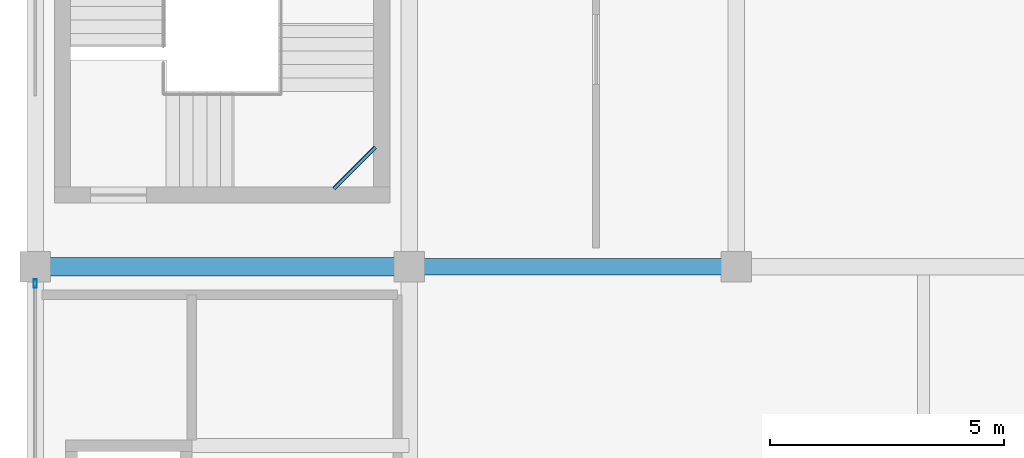
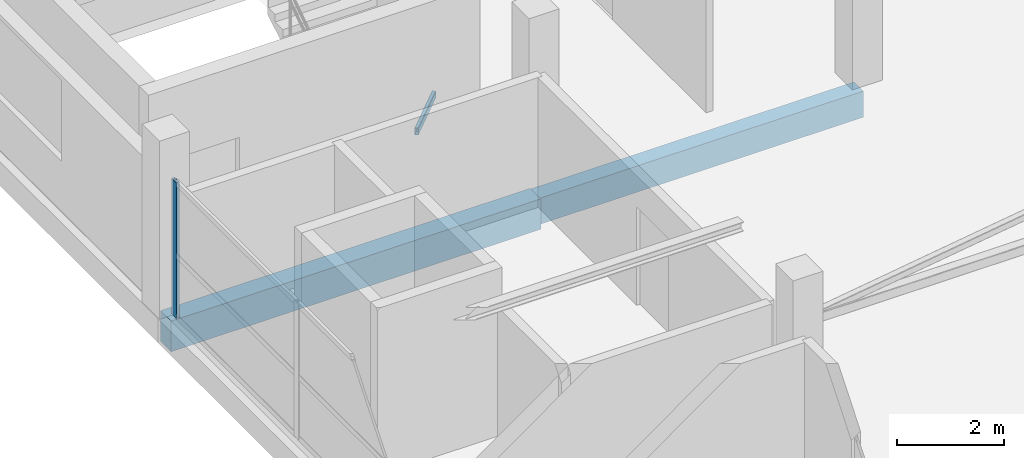
# One storey, part 30 of 66: 3 beams, 1 member, 1 element without a shape of its own.
"""IFC4 building model written with IfcOpenShell, lengths in metres."""

from ifc_helpers import new_model, si_unit, direction, frame, origin, origin_2d, place, context, subcontext, project, spatial, rectangle, hollow_rectangle, extrude, material, layer, layer_set, material_profile, profile_set, type_object, element, aggregate, save


model = new_model("IFC4")

# Units and contexts
model_context = context("Model", 3, precision=1e-05, world=origin(), true_north=direction((0.0, 1.0)))
body_context = subcontext(model_context, "Body", "Model", "MODEL_VIEW")
ifc_project = project(units=[si_unit("LENGTHUNIT", "METRE"), si_unit("AREAUNIT", "SQUARE_METRE"), si_unit("VOLUMEUNIT", "CUBIC_METRE"), si_unit("PLANEANGLEUNIT", "RADIAN"), si_unit("MASSUNIT", "GRAM", prefix="KILO")], contexts=[model_context])

# Site, building, storey
site_placement = place(None, origin())
site = spatial("IfcSite", under=ifc_project, at=site_placement, CompositionType="ELEMENT")
building_placement = place(site_placement, origin())
building = spatial("IfcBuilding", under=site, at=building_placement, Name="Sillaruma Civic Art Gallery", CompositionType="ELEMENT")
storey_placement = place(building_placement, frame((0.0, 0.0, 62.219970703125)))
storey = spatial("IfcBuildingStorey", under=building, at=storey_placement, Name="L12", CompositionType="ELEMENT", Elevation=62.219970703125)

# Beams
ifc_material_1 = material(Name="Concrete H35 (35 MPa)", Category="concrete")
ifc_material_profile_1 = material_profile(ifc_material_1, rectangle(XDim=0.35009765625, YDim=0.60009765625, at=origin_2d()), Name="RCB350x600")
ifc_profile_set_1 = profile_set([ifc_material_profile_1], Name="Concrete H35 (35 MPa)")
beam_type_1 = type_object("IfcBeamType", Name="BM-BEAM-RCB350x600", PredefinedType="BEAM", material=ifc_profile_set_1)
beam_1_placement = place(storey_placement, frame((70.0, 79.199951171875, -0.530029296875), z_axis=(1.0, 0.0, 0.0), x_axis=(0.0, 1.0, 0.0)))
element("IfcBeam", 1, at=beam_1_placement, inside=storey, type_object=beam_type_1, Name="Beam BM-06 (L11:9:G-H)", PredefinedType="BEAM", context=body_context, shape_type="SweptSolid", body=[
    extrude(rectangle(XDim=0.35009765625, YDim=0.60009765625, at=origin_2d()), origin(), (0.0, 0.0, 1.0), 7.0),
])
ifc_material_profile_2 = material_profile(ifc_material_1, rectangle(XDim=0.39990234375, YDim=0.699951171875, at=origin_2d()), Name="RCB400x700")
ifc_profile_set_2 = profile_set([ifc_material_profile_2], Name="Concrete H35 (35 MPa)")
beam_type_2 = type_object("IfcBeamType", Name="BM-BEAM-RCB400x700", PredefinedType="BEAM", material=ifc_profile_set_2)
beam_2_placement = place(storey_placement, frame((62.0, 79.199951171875, -0.580078125), z_axis=(1.0, 0.0, 0.0), x_axis=(0.0, 1.0, 0.0)))
element("IfcBeam", 2, at=beam_2_placement, inside=storey, type_object=beam_type_2, Name="Beam BM-04 (L11:9:F-G)", PredefinedType="BEAM", context=body_context, shape_type="SweptSolid", body=[
    extrude(rectangle(XDim=0.39990234375, YDim=0.699951171875, at=origin_2d()), origin(), (0.0, 0.0, 1.0), 8.0),
])
ifc_material_2 = material(Name="Structural Steel ASTM A500 Gr.C", Category="steel")
ifc_material_profile_3 = material_profile(ifc_material_2, hollow_rectangle(XDim=0.080078125, YDim=0.159912109375, WallThickness=0.008056640625, InnerFilletRadius=0.008056640625, OuterFilletRadius=0.01611328125, at=origin_2d()), Name="HSS160x80x8")
ifc_profile_set_3 = profile_set([ifc_material_profile_3], Name="Structural Steel ASTM A500 Gr.C")
beam_type_3 = type_object("IfcBeamType", Name="BM-LND-HSS160", PredefinedType="BEAM", material=ifc_profile_set_3)
beam_3_placement = place(storey_placement, frame((68.389892578125, 80.8701171875, 0.739990234375), z_axis=(0.707203758046, 0.707009791025, 0.0), x_axis=(-0.707009791025, 0.707203758046, 0.0)))
element("IfcBeam", 3, at=beam_3_placement, inside=storey, type_object=beam_type_3, Name="Stair Corner Landing Trimmer Beam (ST-02-L12-1)", PredefinedType="BEAM", context=body_context, shape_type="SweptSolid", body=[
    extrude(hollow_rectangle(XDim=0.080078125, YDim=0.159912109375, WallThickness=0.008056640625, InnerFilletRadius=0.008056640625, OuterFilletRadius=0.01611328125, at=origin_2d()), origin(), (0.0, 0.0, 1.0), 1.2587890625),
])

# Curtain wall, member
ifc_material_3 = material(Name="Thermally Broken Extruded Aluminium 6063-T6", Category="aluminium")
ifc_layer = layer(ifc_material_3, 0.179931640625, Name="Thermally Broken Extruded Aluminium 6063-T6")
ifc_layer_set = layer_set([ifc_layer], Name="Thermally Broken Extruded Aluminium 6063-T6")
curtain_wall_type = type_object("IfcCurtainWallType", Name="CW-UNI-92", PredefinedType="NOTDEFINED", material=ifc_layer_set)
curtain_wall_placement = place(storey_placement, origin())
curtain_wall = element("IfcCurtainWall", 4, at=curtain_wall_placement, inside=storey, type_object=curtain_wall_type, Name="Unitised Curtain Wall CW-92 (CW-L12-WBW-6)", PredefinedType="NOTDEFINED")
ifc_material_profile_4 = material_profile(ifc_material_3, hollow_rectangle(XDim=0.070068359375, YDim=0.179931640625, WallThickness=0.00390625, at=origin_2d()), Name="CWM70x180")
ifc_profile_set_4 = profile_set([ifc_material_profile_4], Name="Thermally Broken Extruded Aluminium 6063-T6")
member_type = type_object("IfcMemberType", Name="MEM-MUL-CWM70x180", PredefinedType="MULLION", material=ifc_profile_set_4)
member_placement = place(storey_placement, frame((62.0, 78.840087890625, 0.0), z_axis=(0.0, 0.0, 1.0), x_axis=(-1.0, 0.0, 0.0)))
member = element("IfcMember", 5, at=member_placement, type_object=member_type, Name="CW-92 mullion 3", PredefinedType="MULLION", context=body_context, shape_type="SweptSolid", body=[
    extrude(hollow_rectangle(XDim=0.070068359375, YDim=0.179931640625, WallThickness=0.00390625, at=origin_2d()), origin(), (0.0, 0.0, 1.0), 3.10009765625),
])
aggregate(curtain_wall, [member])

save(model, "model.ifc")
